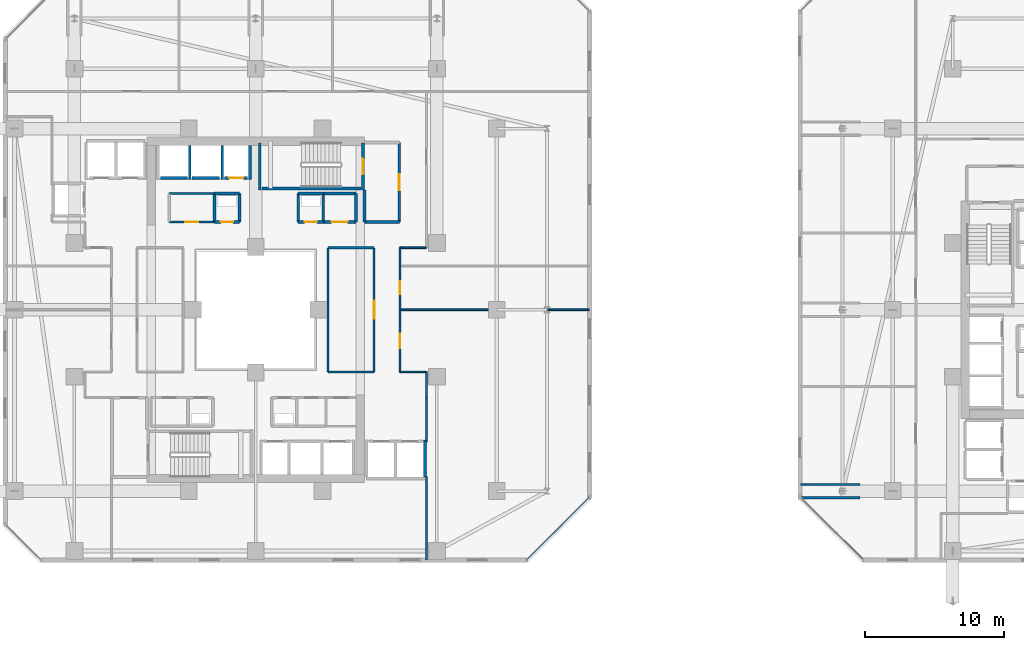
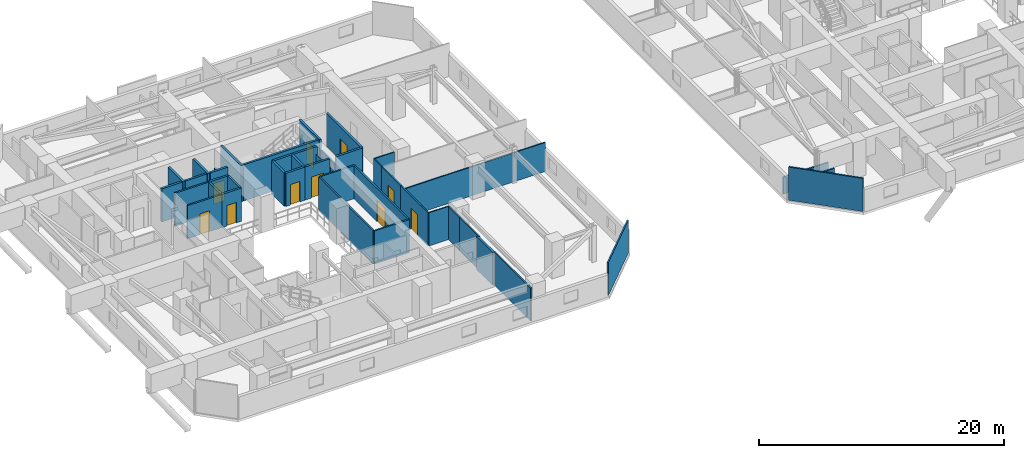
# One storey, part 23 of 36: 43 walls, 10 doors, 10 openings.
"""IFC4 building model written with IfcOpenShell, lengths in metres."""

from ifc_helpers import new_model, si_unit, direction, frame, frame_2d, origin, place, context, subcontext, project, spatial, rectangle, extrude, material, layer, layer_set, type_object, element, fill, save


model = new_model("IFC4")

# Units and contexts
model_context = context("Model", 3, precision=1e-05, world=origin(), true_north=direction((0.0, 1.0)))
body_context = subcontext(model_context, "Body", "Model", "MODEL_VIEW")
ifc_project = project(units=[si_unit("LENGTHUNIT", "METRE"), si_unit("AREAUNIT", "SQUARE_METRE"), si_unit("VOLUMEUNIT", "CUBIC_METRE"), si_unit("PLANEANGLEUNIT", "RADIAN"), si_unit("MASSUNIT", "GRAM", prefix="KILO")], contexts=[model_context])

# Site, building, storey
site_placement = place(None, origin())
site = spatial("IfcSite", under=ifc_project, at=site_placement, CompositionType="ELEMENT")
building_placement = place(site_placement, origin())
building = spatial("IfcBuilding", under=site, at=building_placement, Name="Thornwick Lancets Civic Towers", CompositionType="ELEMENT")
storey_placement = place(building_placement, frame((0.0, 0.0, 94.5)))
storey = spatial("IfcBuildingStorey", under=building, at=storey_placement, Name="L24", CompositionType="ELEMENT", Elevation=94.5)

# Wall, opening, door
ifc_material_1 = material(Name="Concrete blockwork C40/50", Category="masonry")
ifc_layer_1 = layer(ifc_material_1, 0.199951171875, Name="Concrete blockwork C40/50")
ifc_layer_set_1 = layer_set([ifc_layer_1], Name="Concrete blockwork C40/50")
wall_type_1 = type_object("IfcWallType", Name="WALL_COMP_200", PredefinedType="STANDARD", material=ifc_layer_set_1)
wall_1_placement = place(storey_placement, frame((24.919921875, 36.449951171875, 0.0), z_axis=(0.0, 0.0, 1.0), x_axis=(-1.0, 0.0, 0.0)))
wall_1 = element("IfcWall", 1, at=wall_1_placement, inside=storey, type_object=wall_type_1, Name="L24 Hoistway Front Wall FL-A2", PredefinedType="STANDARD", context=body_context, shape_type="SweptSolid", body=[
    extrude(rectangle(XDim=1.639892578125, YDim=0.199951171875, at=frame_2d((0.81982421875, 0.0))), origin(), (0.0, 0.0, 1.0), 3.300048828125),
])
opening_1_placement = place(wall_1_placement, frame((0.31005859375, 0.0, 0.0)))
opening_1 = element("IfcOpeningElement", 2, at=opening_1_placement, cuts=wall_1, Name="Opening LD-FL-A2", PredefinedType="OPENING", context=body_context, shape_type="SweptSolid", body=[
    extrude(rectangle(XDim=1.02001953125, YDim=2.06005859375, at=frame_2d((0.510009765625, 1.030029296875))), frame((0.0, 0.10986328125, 0.0), z_axis=(0.0, -1.0, 0.0), x_axis=(1.0, 0.0, 0.0)), (0.0, 0.0, 1.0), 0.219970703125),
])
ifc_material_2 = material(Name="Brushed bronze stainless steel", Category="steel")
door_type_1 = type_object("IfcDoorType", Name="DOOR_LIFT_SLIDE", OperationType="SLIDING_TO_LEFT", PredefinedType="DOOR", material=ifc_material_2)
door_1_placement = place(opening_1_placement, origin())
door_1 = element("IfcDoor", 3, at=door_1_placement, inside=storey, type_object=door_type_1, Name="L24 Sliding Lift Landing Door LD-FL-A2", OperationType="SLIDING_TO_LEFT", OverallHeight=2.06005859375, OverallWidth=1.02001953125, PredefinedType="DOOR", context=body_context, shape_type="SweptSolid", body=[
    extrude(rectangle(XDim=1.02001953125, YDim=2.06005859375, at=frame_2d((0.510009765625, 1.030029296875))), frame((0.0, 0.02490234375, 0.0), z_axis=(0.0, -1.0, 0.0), x_axis=(1.0, 0.0, 0.0)), (0.0, 0.0, 1.0), 0.050048828125),
])
fill(opening_1, door_1)

# Walls
wall_2_placement = place(storey_placement, frame((22.919921875, 36.449951171875, 0.0), z_axis=(0.0, 0.0, 1.0), x_axis=(-1.0, 0.0, 0.0)))
element("IfcWall", 4, at=wall_2_placement, inside=storey, type_object=wall_type_1, Name="L24 Hoistway Front Wall PL-AH2", PredefinedType="STANDARD", context=body_context, shape_type="SweptSolid", body=[
    extrude(rectangle(XDim=1.989990234375, YDim=0.199951171875, at=frame_2d((0.9951171875, 0.0))), origin(), (0.0, 0.0, 1.0), 3.300048828125),
])
wall_3_placement = place(storey_placement, frame((20.6201171875, 36.449951171875, 0.0), z_axis=(0.0, 0.0, 1.0), x_axis=(-1.0, 0.0, 0.0)))
element("IfcWall", 5, at=wall_3_placement, inside=storey, type_object=wall_type_1, Name="L24 Hoistway Front Wall PL-AH3", PredefinedType="STANDARD", context=body_context, shape_type="SweptSolid", body=[
    extrude(rectangle(XDim=1.940185546875, YDim=0.199951171875, at=frame_2d((0.97021484375, 0.0))), origin(), (0.0, 0.0, 1.0), 3.300048828125),
])
wall_4_placement = place(storey_placement, frame((37.64990234375, 15.011962890625, 0.0), z_axis=(0.0, 0.0, 1.0), x_axis=(0.0, 1.0, 0.0)))
element("IfcWall", 6, at=wall_4_placement, inside=storey, type_object=wall_type_1, Name="L24 Hoistway Shaft Wall PL-AL3 E", PredefinedType="STANDARD", context=body_context, shape_type="SweptSolid", body=[
    extrude(rectangle(XDim=2.635986328125, YDim=0.199951171875, at=frame_2d((1.31787109375, 0.0))), origin(), (0.0, 0.0, 1.0), 3.300048828125),
])
wall_5_placement = place(storey_placement, frame((25.10009765625, 36.35205078125, 0.0), z_axis=(0.0, 0.0, 1.0), x_axis=(0.0, 1.0, 0.0)))
element("IfcWall", 7, at=wall_5_placement, inside=storey, type_object=wall_type_1, Name="L24 Hoistway Shaft Wall FL-A2 E", PredefinedType="STANDARD", context=body_context, shape_type="SweptSolid", body=[
    extrude(rectangle(XDim=2.43603515625, YDim=0.199951171875, at=frame_2d((1.218017578125, 0.0))), origin(), (0.0, 0.0, 1.0), 1.68505859375),
])
for number, where, z_axis, x_axis, name in (
    (8, (23.10009765625, 36.35205078125, 0.0), (0.0, 0.0, 1.0), (0.0, 1.0, 0.0), "L24 Hoistway Shaft Wall FL-A2 W"),
    (9, (20.77490234375, 36.35205078125, 0.0), (0.0, 0.0, 1.0), (0.0, 1.0, 0.0), "L24 Hoistway Shaft Wall PL-AH2 W"),
):
    element("IfcWall", number, at=place(storey_placement, frame(where, z_axis=z_axis, x_axis=x_axis)), inside=storey, type_object=wall_type_1, Name=name, PredefinedType="STANDARD", context=body_context, shape_type="SweptSolid", body=[
        extrude(rectangle(XDim=2.43603515625, YDim=0.199951171875, at=frame_2d((1.218017578125, 0.0))), origin(), (0.0, 0.0, 1.0), 3.300048828125),
    ])
wall_6_placement = place(storey_placement, frame((33.300048828125, 33.300048828125, 0.0), z_axis=(0.0, 0.0, 1.0), x_axis=(1.0, 0.0, 0.0)))
element("IfcWall", 10, at=wall_6_placement, inside=storey, type_object=wall_type_1, Name="L24 Partition L24-A-FFLOB2 E1", PredefinedType="STANDARD", context=body_context, shape_type="SweptSolid", body=[
    extrude(rectangle(XDim=2.5, YDim=0.199951171875, at=frame_2d((1.25, 0.0))), origin(), (0.0, 0.0, 1.0), 3.300048828125),
])

# Wall, opening, door
wall_7_placement = place(storey_placement, frame((35.800048828125, 33.300048828125, 0.0), z_axis=(0.0, 0.0, 1.0), x_axis=(0.0, 1.0, 0.0)))
wall_7 = element("IfcWall", 11, at=wall_7_placement, inside=storey, type_object=wall_type_1, Name="L24 Partition L24-A-FFLOB2 E2", PredefinedType="STANDARD", context=body_context, shape_type="SweptSolid", body=[
    extrude(rectangle(XDim=5.699951171875, YDim=0.199951171875, at=frame_2d((2.85009765625, 0.0))), origin(), (0.0, 0.0, 1.0), 3.300048828125),
])
opening_2_placement = place(wall_7_placement, frame((2.27490234375, 0.0, 0.0)))
opening_2 = element("IfcOpeningElement", 12, at=opening_2_placement, cuts=wall_7, Name="Opening D-L24-1108", PredefinedType="OPENING", context=body_context, shape_type="SweptSolid", body=[
    extrude(rectangle(XDim=1.14990234375, YDim=2.10009765625, at=frame_2d((0.574951171875, 1.050048828125))), frame((0.0, 0.10986328125, 0.0), z_axis=(0.0, -1.0, 0.0), x_axis=(1.0, 0.0, 0.0)), (0.0, 0.0, 1.0), 0.219970703125),
])
ifc_material_3 = material(Name="Glazed fire-resisting steel", Category="steel")
door_type_2 = type_object("IfcDoorType", Name="DOOR_LOBBY_FD60", OperationType="NOTDEFINED", PredefinedType="DOOR", material=ifc_material_3)
door_2_placement = place(opening_2_placement, origin())
door_2 = element("IfcDoor", 13, at=door_2_placement, inside=storey, type_object=door_type_2, Name="L24 North Firefighting Lobby 2 Door", OperationType="SINGLE_SWING_LEFT", OverallHeight=2.10009765625, OverallWidth=1.14990234375, PredefinedType="DOOR", context=body_context, shape_type="SweptSolid", body=[
    extrude(rectangle(XDim=1.14990234375, YDim=2.10009765625, at=frame_2d((0.574951171875, 1.050048828125))), frame((0.0, 0.02490234375, 0.0), z_axis=(0.0, -1.0, 0.0), x_axis=(1.0, 0.0, 0.0)), (0.0, 0.0, 1.0), 0.050048828125),
])
fill(opening_2, door_2)

# Wall
wall_8_placement = place(storey_placement, frame((33.300048828125, 35.60009765625, 0.0), z_axis=(0.0, 0.0, 1.0), x_axis=(0.0, -1.0, 0.0)))
element("IfcWall", 14, at=wall_8_placement, inside=storey, type_object=wall_type_1, Name="L24 Partition L24-A-FFLOB2 E4", PredefinedType="STANDARD", context=body_context, shape_type="SweptSolid", body=[
    extrude(rectangle(XDim=2.300048828125, YDim=0.199951171875, at=frame_2d((1.14990234375, 0.0))), origin(), (0.0, 0.0, 1.0), 2.5048828125),
])

# Wall, opening, door
wall_9_placement = place(storey_placement, frame((22.550048828125, 33.300048828125, 0.0), z_axis=(0.0, 0.0, 1.0), x_axis=(1.0, 0.0, 0.0)))
wall_9 = element("IfcWall", 15, at=wall_9_placement, inside=storey, type_object=wall_type_1, Name="L24 Partition L24-A-DUCT2 E1", PredefinedType="STANDARD", context=body_context, shape_type="SweptSolid", body=[
    extrude(rectangle(XDim=1.800048828125, YDim=0.199951171875, at=frame_2d((0.89990234375, 0.0))), origin(), (0.0, 0.0, 1.0), 3.300048828125),
])
opening_3_placement = place(wall_9_placement, frame((0.4599609375, 0.0, 0.0)))
opening_3 = element("IfcOpeningElement", 16, at=opening_3_placement, cuts=wall_9, Name="Opening D-L24-1111", PredefinedType="OPENING", context=body_context, shape_type="SweptSolid", body=[
    extrude(rectangle(XDim=0.8798828125, YDim=2.0400390625, at=frame_2d((0.43994140625, 1.02001953125))), frame((0.0, 0.10986328125, 0.0), z_axis=(0.0, -1.0, 0.0), x_axis=(1.0, 0.0, 0.0)), (0.0, 0.0, 1.0), 0.219970703125),
])
ifc_material_4 = material(Name="Steel riser access doorset", Category="steel")
door_type_3 = type_object("IfcDoorType", Name="DOOR_RISER_850", OperationType="NOTDEFINED", PredefinedType="DOOR", material=ifc_material_4)
door_3_placement = place(opening_3_placement, origin())
door_3 = element("IfcDoor", 17, at=door_3_placement, inside=storey, type_object=door_type_3, Name="L24 North Service Duct 2 Door", OperationType="SINGLE_SWING_RIGHT", OverallHeight=2.0400390625, OverallWidth=0.8798828125, PredefinedType="DOOR", context=body_context, shape_type="SweptSolid", body=[
    extrude(rectangle(XDim=0.8798828125, YDim=2.0400390625, at=frame_2d((0.43994140625, 1.02001953125))), frame((0.0, 0.02490234375, 0.0), z_axis=(0.0, -1.0, 0.0), x_axis=(1.0, 0.0, 0.0)), (0.0, 0.0, 1.0), 0.050048828125),
])
fill(opening_3, door_3)

# Walls
wall_10_placement = place(storey_placement, frame((24.35009765625, 33.300048828125, 0.0), z_axis=(0.0, 0.0, 1.0), x_axis=(0.0, 1.0, 0.0)))
element("IfcWall", 18, at=wall_10_placement, inside=storey, type_object=wall_type_1, Name="L24 Partition L24-A-DUCT2 E2", PredefinedType="STANDARD", context=body_context, shape_type="SweptSolid", body=[
    extrude(rectangle(XDim=2.050048828125, YDim=0.199951171875, at=frame_2d((1.02490234375, 0.0))), origin(), (0.0, 0.0, 1.0), 3.300048828125),
])
wall_11_placement = place(storey_placement, frame((24.35009765625, 35.35009765625, 0.0), z_axis=(0.0, 0.0, 1.0), x_axis=(-1.0, 0.0, 0.0)))
element("IfcWall", 19, at=wall_11_placement, inside=storey, type_object=wall_type_1, Name="L24 Partition L24-A-DUCT2 E3", PredefinedType="STANDARD", context=body_context, shape_type="SweptSolid", body=[
    extrude(rectangle(XDim=1.800048828125, YDim=0.199951171875, at=frame_2d((0.89990234375, 0.0))), origin(), (0.0, 0.0, 1.0), 3.300048828125),
])
wall_12_placement = place(storey_placement, frame((22.550048828125, 35.35009765625, 0.0), z_axis=(0.0, 0.0, 1.0), x_axis=(0.0, -1.0, 0.0)))
element("IfcWall", 20, at=wall_12_placement, inside=storey, type_object=wall_type_1, Name="L24 Partition L24-A-DUCT2 E4", PredefinedType="STANDARD", context=body_context, shape_type="SweptSolid", body=[
    extrude(rectangle(XDim=2.050048828125, YDim=0.199951171875, at=frame_2d((1.02490234375, 0.0))), origin(), (0.0, 0.0, 1.0), 3.300048828125),
])

# Wall, opening, door
wall_13_placement = place(storey_placement, frame((28.550048828125, 33.300048828125, 0.0), z_axis=(0.0, 0.0, 1.0), x_axis=(1.0, 0.0, 0.0)))
wall_13 = element("IfcWall", 21, at=wall_13_placement, inside=storey, type_object=wall_type_1, Name="L24 Partition L24-A-RISER2 E1", PredefinedType="STANDARD", context=body_context, shape_type="SweptSolid", body=[
    extrude(rectangle(XDim=1.800048828125, YDim=0.199951171875, at=frame_2d((0.89990234375, 0.0))), origin(), (0.0, 0.0, 1.0), 3.300048828125),
])
opening_4_placement = place(wall_13_placement, frame((0.4599609375, 0.0, 0.0)))
opening_4 = element("IfcOpeningElement", 22, at=opening_4_placement, cuts=wall_13, Name="Opening D-L24-1112", PredefinedType="OPENING", context=body_context, shape_type="SweptSolid", body=[
    extrude(rectangle(XDim=0.8798828125, YDim=2.0400390625, at=frame_2d((0.43994140625, 1.02001953125))), frame((0.0, 0.10986328125, 0.0), z_axis=(0.0, -1.0, 0.0), x_axis=(1.0, 0.0, 0.0)), (0.0, 0.0, 1.0), 0.219970703125),
])
door_4_placement = place(opening_4_placement, origin())
door_4 = element("IfcDoor", 23, at=door_4_placement, inside=storey, type_object=door_type_3, Name="L24 North Service Riser 2 Door", OperationType="SINGLE_SWING_LEFT", OverallHeight=2.0400390625, OverallWidth=0.8798828125, PredefinedType="DOOR", context=body_context, shape_type="SweptSolid", body=[
    extrude(rectangle(XDim=0.8798828125, YDim=2.0400390625, at=frame_2d((0.43994140625, 1.02001953125))), frame((0.0, 0.02490234375, 0.0), z_axis=(0.0, -1.0, 0.0), x_axis=(1.0, 0.0, 0.0)), (0.0, 0.0, 1.0), 0.050048828125),
])
fill(opening_4, door_4)

# Walls
wall_14_placement = place(storey_placement, frame((30.35009765625, 33.300048828125, 0.0), z_axis=(0.0, 0.0, 1.0), x_axis=(0.0, 1.0, 0.0)))
element("IfcWall", 24, at=wall_14_placement, inside=storey, type_object=wall_type_1, Name="L24 Partition L24-A-RISER2 E2", PredefinedType="STANDARD", context=body_context, shape_type="SweptSolid", body=[
    extrude(rectangle(XDim=2.050048828125, YDim=0.199951171875, at=frame_2d((1.02490234375, 0.0))), origin(), (0.0, 0.0, 1.0), 3.300048828125),
])
wall_15_placement = place(storey_placement, frame((30.35009765625, 35.35009765625, 0.0), z_axis=(0.0, 0.0, 1.0), x_axis=(-1.0, 0.0, 0.0)))
element("IfcWall", 25, at=wall_15_placement, inside=storey, type_object=wall_type_1, Name="L24 Partition L24-A-RISER2 E3", PredefinedType="STANDARD", context=body_context, shape_type="SweptSolid", body=[
    extrude(rectangle(XDim=1.800048828125, YDim=0.199951171875, at=frame_2d((0.89990234375, 0.0))), origin(), (0.0, 0.0, 1.0), 3.300048828125),
])
wall_16_placement = place(storey_placement, frame((28.550048828125, 35.35009765625, 0.0), z_axis=(0.0, 0.0, 1.0), x_axis=(0.0, -1.0, 0.0)))
element("IfcWall", 26, at=wall_16_placement, inside=storey, type_object=wall_type_1, Name="L24 Partition L24-A-RISER2 E4", PredefinedType="STANDARD", context=body_context, shape_type="SweptSolid", body=[
    extrude(rectangle(XDim=2.050048828125, YDim=0.199951171875, at=frame_2d((1.02490234375, 0.0))), origin(), (0.0, 0.0, 1.0), 3.300048828125),
])
wall_17_placement = place(storey_placement, frame((32.699951171875, 35.35009765625, 0.0), z_axis=(0.0, 0.0, 1.0), x_axis=(0.0, -1.0, 0.0)))
element("IfcWall", 27, at=wall_17_placement, inside=storey, type_object=wall_type_1, Name="L24 Partition L24-A-STR E1", PredefinedType="STANDARD", context=body_context, shape_type="SweptSolid", body=[
    extrude(rectangle(XDim=2.050048828125, YDim=0.199951171875, at=frame_2d((1.02490234375, 0.0))), origin(), (0.0, 0.0, 1.0), 2.5048828125),
])

# Wall, opening, door
wall_18_placement = place(storey_placement, frame((32.699951171875, 33.300048828125, 0.0), z_axis=(0.0, 0.0, 1.0), x_axis=(-1.0, 0.0, 0.0)))
wall_18 = element("IfcWall", 28, at=wall_18_placement, inside=storey, type_object=wall_type_1, Name="L24 Partition L24-A-STR E2", PredefinedType="STANDARD", context=body_context, shape_type="SweptSolid", body=[
    extrude(rectangle(XDim=2.349853515625, YDim=0.199951171875, at=frame_2d((1.1748046875, 0.0))), origin(), (0.0, 0.0, 1.0), 3.300048828125),
])
opening_5_placement = place(wall_18_placement, frame((0.60009765625, 0.0, 0.0)))
opening_5 = element("IfcOpeningElement", 29, at=opening_5_placement, cuts=wall_18, Name="Opening D-L24-1117", PredefinedType="OPENING", context=body_context, shape_type="SweptSolid", body=[
    extrude(rectangle(XDim=1.14990234375, YDim=2.10009765625, at=frame_2d((0.574951171875, 1.050048828125))), frame((0.0, 0.10986328125, 0.0), z_axis=(0.0, -1.0, 0.0), x_axis=(1.0, 0.0, 0.0)), (0.0, 0.0, 1.0), 0.219970703125),
])
door_5_placement = place(opening_5_placement, origin())
door_5 = element("IfcDoor", 30, at=door_5_placement, inside=storey, type_object=door_type_2, Name="L24 Tower A Core Equipment Store Door", OperationType="SINGLE_SWING_RIGHT", OverallHeight=2.10009765625, OverallWidth=1.14990234375, PredefinedType="DOOR", context=body_context, shape_type="SweptSolid", body=[
    extrude(rectangle(XDim=1.14990234375, YDim=2.10009765625, at=frame_2d((0.574951171875, 1.050048828125))), frame((0.0, 0.02490234375, 0.0), z_axis=(0.0, -1.0, 0.0), x_axis=(1.0, 0.0, 0.0)), (0.0, 0.0, 1.0), 0.050048828125),
])
fill(opening_5, door_5)

# Walls
wall_19_placement = place(storey_placement, frame((30.35009765625, 35.35009765625, 0.0), z_axis=(0.0, 0.0, 1.0), x_axis=(1.0, 0.0, 0.0)))
element("IfcWall", 31, at=wall_19_placement, inside=storey, type_object=wall_type_1, Name="L24 Partition L24-A-STR E4", PredefinedType="STANDARD", context=body_context, shape_type="SweptSolid", body=[
    extrude(rectangle(XDim=2.349853515625, YDim=0.199951171875, at=frame_2d((1.1748046875, 0.0))), origin(), (0.0, 0.0, 1.0), 3.300048828125),
])
ifc_material_5 = material(Name="Acoustic gypsum board partition")
ifc_layer_2 = layer(ifc_material_5, 0.1201171875, Name="Acoustic gypsum board partition")
ifc_layer_set_2 = layer_set([ifc_layer_2], Name="Acoustic gypsum board partition")
wall_type_2 = type_object("IfcWallType", Name="WALL_PART_120", PredefinedType="PARTITIONING", material=ifc_layer_set_2)
wall_20_placement = place(storey_placement, frame((37.75, 17.550048828125, 0.0), z_axis=(0.0, 0.0, 1.0), x_axis=(0.0, 1.0, 0.0)))
element("IfcWall", 32, at=wall_20_placement, inside=storey, type_object=wall_type_2, Name="L24 Partition L24-A-E1 E1", PredefinedType="PARTITIONING", context=body_context, shape_type="SweptSolid", body=[
    extrude(rectangle(XDim=3.14990234375, YDim=0.1201171875, at=frame_2d((1.574951171875, 0.0))), origin(), (0.0, 0.0, 1.0), 3.300048828125),
])
wall_21_placement = place(storey_placement, frame((37.75, 20.699951171875, 0.0), z_axis=(0.0, 0.0, 1.0), x_axis=(0.0, 1.0, 0.0)))
element("IfcWall", 33, at=wall_21_placement, inside=storey, type_object=wall_type_2, Name="L24 Partition L24-A-E1 E2", PredefinedType="PARTITIONING", context=body_context, shape_type="SweptSolid", body=[
    extrude(rectangle(XDim=1.85009765625, YDim=0.1201171875, at=frame_2d((0.925048828125, 0.0))), origin(), (0.0, 0.0, 1.0), 3.300048828125),
])
wall_22_placement = place(storey_placement, frame((37.75, 22.550048828125, 0.0), z_axis=(0.0, 0.0, 1.0), x_axis=(-1.0, 0.0, 0.0)))
element("IfcWall", 34, at=wall_22_placement, inside=storey, type_object=wall_type_2, Name="L24 Partition L24-A-E1 E3", PredefinedType="PARTITIONING", context=body_context, shape_type="SweptSolid", body=[
    extrude(rectangle(XDim=1.89990234375, YDim=0.1201171875, at=frame_2d((0.949951171875, 0.0))), origin(), (0.0, 0.0, 1.0), 3.300048828125),
])

# Wall, opening, door
wall_23_placement = place(storey_placement, frame((35.85009765625, 22.550048828125, 0.0), z_axis=(0.0, 0.0, 1.0), x_axis=(0.0, 1.0, 0.0)))
wall_23 = element("IfcWall", 35, at=wall_23_placement, inside=storey, type_object=wall_type_2, Name="L24 Partition L24-A-E1 E4", PredefinedType="PARTITIONING", context=body_context, shape_type="SweptSolid", body=[
    extrude(rectangle(XDim=4.449951171875, YDim=0.1201171875, at=frame_2d((2.22509765625, 0.0))), origin(), (0.0, 0.0, 1.0), 3.300048828125),
])
opening_6_placement = place(wall_23_placement, frame((1.699951171875, 0.0, 0.0)))
opening_6 = element("IfcOpeningElement", 36, at=opening_6_placement, cuts=wall_23, Name="Opening D-L24-1132", PredefinedType="OPENING", context=body_context, shape_type="SweptSolid", body=[
    extrude(rectangle(XDim=1.050048828125, YDim=2.10009765625, at=frame_2d((0.52490234375, 1.050048828125))), frame((0.0, 0.070068359375, 0.0), z_axis=(0.0, -1.0, 0.0), x_axis=(1.0, 0.0, 0.0)), (0.0, 0.0, 1.0), 0.14013671875),
])
ifc_material_6 = material(Name="Glazed European oak executive doorset")
door_type_4 = type_object("IfcDoorType", Name="DOOR_OFFICE_1050", OperationType="NOTDEFINED", PredefinedType="DOOR", material=ifc_material_6)
door_6_placement = place(opening_6_placement, origin())
door_6 = element("IfcDoor", 37, at=door_6_placement, inside=storey, type_object=door_type_4, Name="L24 Tower A Secretariat Open Office E1 Door", OperationType="SINGLE_SWING_LEFT", OverallHeight=2.10009765625, OverallWidth=1.050048828125, PredefinedType="DOOR", context=body_context, shape_type="SweptSolid", body=[
    extrude(rectangle(XDim=1.050048828125, YDim=2.10009765625, at=frame_2d((0.52490234375, 1.050048828125))), frame((0.0, 0.02490234375, 0.0), z_axis=(0.0, -1.0, 0.0), x_axis=(1.0, 0.0, 0.0)), (0.0, 0.0, 1.0), 0.050048828125),
])
fill(opening_6, door_6)

# Walls
wall_24_placement = place(storey_placement, frame((35.85009765625, 27.0, 0.0), z_axis=(0.0, 0.0, 1.0), x_axis=(1.0, 0.0, 0.0)))
element("IfcWall", 38, at=wall_24_placement, inside=storey, type_object=wall_type_2, Name="L24 Partition L24-A-E1 E5", PredefinedType="PARTITIONING", context=body_context, shape_type="SweptSolid", body=[
    extrude(rectangle(XDim=13.56982421875, YDim=0.1201171875, at=frame_2d((6.784912109375, 0.0))), origin(), (0.0, 0.0, 1.0), 2.89208984375),
])
wall_25_placement = place(storey_placement, frame((49.419921875, 13.53857421875, 0.0), z_axis=(0.0, 0.0, 1.0), x_axis=(-0.707106781187, -0.707106781187, 0.0)))
element("IfcWall", 39, at=wall_25_placement, inside=storey, type_object=wall_type_2, Name="L24 Partition L24-A-E1 E7", PredefinedType="PARTITIONING", context=body_context, shape_type="SweptSolid", body=[
    extrude(rectangle(XDim=6.30517578125, YDim=0.1201171875, at=frame_2d((3.152587890625, 0.0))), origin(), (0.0, 0.0, 1.0), 3.300048828125),
])
wall_26_placement = place(storey_placement, frame((37.75, 9.080078125, 0.0), z_axis=(0.0, 0.0, 1.0), x_axis=(0.0, 1.0, 0.0)))
element("IfcWall", 40, at=wall_26_placement, inside=storey, type_object=wall_type_2, Name="L24 Partition L24-A-E1 E9", PredefinedType="PARTITIONING", context=body_context, shape_type="SweptSolid", body=[
    extrude(rectangle(XDim=5.931884765625, YDim=0.1201171875, at=frame_2d((2.9658203125, 0.0))), origin(), (0.0, 0.0, 1.0), 3.300048828125),
])

# Wall, opening, door
wall_27_placement = place(storey_placement, frame((35.85009765625, 27.0, 0.0), z_axis=(0.0, 0.0, 1.0), x_axis=(0.0, 1.0, 0.0)))
wall_27 = element("IfcWall", 41, at=wall_27_placement, inside=storey, type_object=wall_type_2, Name="L24 Partition L24-A-E2 E1", PredefinedType="PARTITIONING", context=body_context, shape_type="SweptSolid", body=[
    extrude(rectangle(XDim=3.14990234375, YDim=0.1201171875, at=frame_2d((1.574951171875, 0.0))), origin(), (0.0, 0.0, 1.0), 3.300048828125),
])
opening_7_placement = place(wall_27_placement, frame((1.10009765625, 0.0, 0.0)))
opening_7 = element("IfcOpeningElement", 42, at=opening_7_placement, cuts=wall_27, Name="Opening D-L24-1133", PredefinedType="OPENING", context=body_context, shape_type="SweptSolid", body=[
    extrude(rectangle(XDim=0.949951171875, YDim=2.10009765625, at=frame_2d((0.47509765625, 1.050048828125))), frame((0.0, 0.070068359375, 0.0), z_axis=(0.0, -1.0, 0.0), x_axis=(1.0, 0.0, 0.0)), (0.0, 0.0, 1.0), 0.14013671875),
])
ifc_material_7 = material(Name="European oak acoustic doorset")
door_type_5 = type_object("IfcDoorType", Name="DOOR_OFFICE_950", OperationType="NOTDEFINED", PredefinedType="DOOR", material=ifc_material_7)
door_7_placement = place(opening_7_placement, origin())
door_7 = element("IfcDoor", 43, at=door_7_placement, inside=storey, type_object=door_type_5, Name="L24 Tower A Visitors Reception and Waiting Door", OperationType="SINGLE_SWING_RIGHT", OverallHeight=2.10009765625, OverallWidth=0.949951171875, PredefinedType="DOOR", context=body_context, shape_type="SweptSolid", body=[
    extrude(rectangle(XDim=0.949951171875, YDim=2.10009765625, at=frame_2d((0.47509765625, 1.050048828125))), frame((0.0, 0.02490234375, 0.0), z_axis=(0.0, -1.0, 0.0), x_axis=(1.0, 0.0, 0.0)), (0.0, 0.0, 1.0), 0.050048828125),
])
fill(opening_7, door_7)

# Walls
wall_28_placement = place(storey_placement, frame((35.85009765625, 31.449951171875, 0.0), z_axis=(0.0, 0.0, 1.0), x_axis=(1.0, 0.0, 0.0)))
element("IfcWall", 44, at=wall_28_placement, inside=storey, type_object=wall_type_2, Name="L24 Partition L24-A-E3 E1", PredefinedType="PARTITIONING", context=body_context, shape_type="SweptSolid", body=[
    extrude(rectangle(XDim=1.89990234375, YDim=0.1201171875, at=frame_2d((0.949951171875, 0.0))), origin(), (0.0, 0.0, 1.0), 3.300048828125),
])
wall_29_placement = place(storey_placement, frame((35.85009765625, 30.14990234375, 0.0), z_axis=(0.0, 0.0, 1.0), x_axis=(0.0, 1.0, 0.0)))
element("IfcWall", 45, at=wall_29_placement, inside=storey, type_object=wall_type_2, Name="L24 Partition L24-A-E3 E7", PredefinedType="PARTITIONING", context=body_context, shape_type="SweptSolid", body=[
    extrude(rectangle(XDim=1.300048828125, YDim=0.1201171875, at=frame_2d((0.64990234375, 0.0))), origin(), (0.0, 0.0, 1.0), 3.300048828125),
])
ifc_material_8 = material(Name="Twin-stud acoustic gypsum board")
ifc_layer_3 = layer(ifc_material_8, 0.14990234375, Name="Twin-stud acoustic gypsum board")
ifc_layer_set_3 = layer_set([ifc_layer_3], Name="Twin-stud acoustic gypsum board")
wall_type_3 = type_object("IfcWallType", Name="WALL_PART_150", PredefinedType="PARTITIONING", material=ifc_layer_set_3)
wall_30_placement = place(storey_placement, frame((19.300048828125, 35.35009765625, 0.0), z_axis=(0.0, 0.0, 1.0), x_axis=(1.0, 0.0, 0.0)))
element("IfcWall", 46, at=wall_30_placement, inside=storey, type_object=wall_type_3, Name="L24 Partition L24-A-FWC E2", PredefinedType="PARTITIONING", context=body_context, shape_type="SweptSolid", body=[
    extrude(rectangle(XDim=3.25, YDim=0.14990234375, at=frame_2d((1.625, 0.0))), origin(), (0.0, 0.0, 1.0), 3.300048828125),
])

# Wall, opening, door
wall_31_placement = place(storey_placement, frame((22.550048828125, 33.300048828125, 0.0), z_axis=(0.0, 0.0, 1.0), x_axis=(-1.0, 0.0, 0.0)))
wall_31 = element("IfcWall", 47, at=wall_31_placement, inside=storey, type_object=wall_type_3, Name="L24 Partition L24-A-FWC E4", PredefinedType="PARTITIONING", context=body_context, shape_type="SweptSolid", body=[
    extrude(rectangle(XDim=3.25, YDim=0.14990234375, at=frame_2d((1.625, 0.0))), origin(), (0.0, 0.0, 1.0), 3.300048828125),
])
opening_8_placement = place(wall_31_placement, frame((1.1650390625, 0.0, 0.0)))
opening_8 = element("IfcOpeningElement", 48, at=opening_8_placement, cuts=wall_31, Name="Opening D-L24-1116", PredefinedType="OPENING", context=body_context, shape_type="SweptSolid", body=[
    extrude(rectangle(XDim=0.919921875, YDim=2.080078125, at=frame_2d((0.4599609375, 1.0400390625))), frame((0.0, 0.0849609375, 0.0), z_axis=(0.0, -1.0, 0.0), x_axis=(1.0, 0.0, 0.0)), (0.0, 0.0, 1.0), 0.169921875),
])
ifc_material_9 = material(Name="Moisture-resistant oak doorset")
door_type_6 = type_object("IfcDoorType", Name="DOOR_WC_900", OperationType="NOTDEFINED", PredefinedType="DOOR", material=ifc_material_9)
door_8_placement = place(opening_8_placement, origin())
door_8 = element("IfcDoor", 49, at=door_8_placement, inside=storey, type_object=door_type_6, Name="L24 Tower A Female WC Door", OperationType="SINGLE_SWING_LEFT", OverallHeight=2.080078125, OverallWidth=0.919921875, PredefinedType="DOOR", context=body_context, shape_type="SweptSolid", body=[
    extrude(rectangle(XDim=0.919921875, YDim=2.080078125, at=frame_2d((0.4599609375, 1.0400390625))), frame((0.0, 0.02490234375, 0.0), z_axis=(0.0, -1.0, 0.0), x_axis=(1.0, 0.0, 0.0)), (0.0, 0.0, 1.0), 0.050048828125),
])
fill(opening_8, door_8)

# Walls
wall_32_placement = place(storey_placement, frame((30.699951171875, 22.550048828125, 0.0), z_axis=(0.0, 0.0, 1.0), x_axis=(0.0, 1.0, 0.0)))
element("IfcWall", 50, at=wall_32_placement, inside=storey, type_object=wall_type_3, Name="L24 Partition L24-A-ATR-E E1", PredefinedType="PARTITIONING", context=body_context, shape_type="SweptSolid", body=[
    extrude(rectangle(XDim=8.89990234375, YDim=0.14990234375, at=frame_2d((4.449951171875, 0.0))), origin(), (0.0, 0.0, 1.0), 3.300048828125),
])
wall_33_placement = place(storey_placement, frame((30.699951171875, 31.449951171875, 0.0), z_axis=(0.0, 0.0, 1.0), x_axis=(1.0, 0.0, 0.0)))
element("IfcWall", 51, at=wall_33_placement, inside=storey, type_object=wall_type_3, Name="L24 Partition L24-A-ATR-E E2", PredefinedType="PARTITIONING", context=body_context, shape_type="SweptSolid", body=[
    extrude(rectangle(XDim=3.300048828125, YDim=0.14990234375, at=frame_2d((1.64990234375, 0.0))), origin(), (0.0, 0.0, 1.0), 3.300048828125),
])

# Wall, opening, door
wall_34_placement = place(storey_placement, frame((34.0, 31.449951171875, 0.0), z_axis=(0.0, 0.0, 1.0), x_axis=(0.0, -1.0, 0.0)))
wall_34 = element("IfcWall", 52, at=wall_34_placement, inside=storey, type_object=wall_type_3, Name="L24 Partition L24-A-ATR-E E3", PredefinedType="PARTITIONING", context=body_context, shape_type="SweptSolid", body=[
    extrude(rectangle(XDim=8.89990234375, YDim=0.14990234375, at=frame_2d((4.449951171875, 0.0))), origin(), (0.0, 0.0, 1.0), 3.300048828125),
])
opening_9_placement = place(wall_34_placement, frame((3.800048828125, 0.0, 0.0)))
opening_9 = element("IfcOpeningElement", 53, at=opening_9_placement, cuts=wall_34, Name="Opening D-L24-1135", PredefinedType="OPENING", context=body_context, shape_type="SweptSolid", body=[
    extrude(rectangle(XDim=1.300048828125, YDim=2.1201171875, at=frame_2d((0.64990234375, 1.06005859375))), frame((0.0, 0.0849609375, 0.0), z_axis=(0.0, -1.0, 0.0), x_axis=(1.0, 0.0, 0.0)), (0.0, 0.0, 1.0), 0.169921875),
])
ifc_material_10 = material(Name="Acoustic oak leaf-and-a-half doorset")
door_type_7 = type_object("IfcDoorType", Name="DOOR_MEET_1300", OperationType="DOUBLE_DOOR_SINGLE_SWING", PredefinedType="DOOR", material=ifc_material_10)
door_9_placement = place(opening_9_placement, origin())
door_9 = element("IfcDoor", 54, at=door_9_placement, inside=storey, type_object=door_type_7, Name="L24 Tower A East Atrium Briefing Suite Door", OperationType="DOUBLE_DOOR_SINGLE_SWING", OverallHeight=2.1201171875, OverallWidth=1.300048828125, PredefinedType="DOOR", context=body_context, shape_type="SweptSolid", body=[
    extrude(rectangle(XDim=1.300048828125, YDim=2.1201171875, at=frame_2d((0.64990234375, 1.06005859375))), frame((0.0, 0.02490234375, 0.0), z_axis=(0.0, -1.0, 0.0), x_axis=(1.0, 0.0, 0.0)), (0.0, 0.0, 1.0), 0.050048828125),
])
fill(opening_9, door_9)

# Walls
wall_35_placement = place(storey_placement, frame((34.0, 22.550048828125, 0.0), z_axis=(0.0, 0.0, 1.0), x_axis=(-1.0, 0.0, 0.0)))
element("IfcWall", 55, at=wall_35_placement, inside=storey, type_object=wall_type_3, Name="L24 Partition L24-A-ATR-E E4", PredefinedType="PARTITIONING", context=body_context, shape_type="SweptSolid", body=[
    extrude(rectangle(XDim=3.300048828125, YDim=0.14990234375, at=frame_2d((1.64990234375, 0.0))), origin(), (0.0, 0.0, 1.0), 3.300048828125),
])
wall_36_placement = place(storey_placement, frame((69.03857421875, 9.080078125, 0.0), z_axis=(0.0, 0.0, 1.0), x_axis=(-0.707106781187, 0.707106781187, 0.0)))
element("IfcWall", 56, at=wall_36_placement, inside=storey, type_object=wall_type_3, Name="L24 Partition L24-B-N-CONF E3", PredefinedType="PARTITIONING", context=body_context, shape_type="SweptSolid", body=[
    extrude(rectangle(XDim=6.279052734375, YDim=0.14990234375, at=frame_2d((3.1396484375, 0.0))), origin(), (0.0, 0.0, 1.0), 3.300048828125),
])
wall_37_placement = place(storey_placement, frame((64.5986328125, 13.52001953125, 0.0), z_axis=(0.0, 0.0, 1.0), x_axis=(1.0, 0.0, 0.0)))
element("IfcWall", 57, at=wall_37_placement, inside=storey, type_object=wall_type_3, Name="L24 Partition L24-B-N-CONF E4", PredefinedType="PARTITIONING", context=body_context, shape_type="SweptSolid", body=[
    extrude(rectangle(XDim=4.25048828125, YDim=0.14990234375, at=frame_2d((2.125244140625, 0.0))), origin(), (0.0, 0.0, 1.0), 1.68505859375),
])
wall_38_placement = place(storey_placement, frame((68.84912109375, 14.47998046875, 0.0), z_axis=(0.0, 0.0, 1.0), x_axis=(-1.0, 0.0, 0.0)))
element("IfcWall", 58, at=wall_38_placement, inside=storey, type_object=wall_type_3, Name="L24 Partition L24-B-N-CONF E6", PredefinedType="PARTITIONING", context=body_context, shape_type="SweptSolid", body=[
    extrude(rectangle(XDim=4.26904296875, YDim=0.14990234375, at=frame_2d((2.134521484375, 0.0))), origin(), (0.0, 0.0, 1.0), 1.68505859375),
])

# Wall, opening, door
ifc_material_11 = material(Name="Concrete C40/50", Category="concrete")
ifc_layer_4 = layer(ifc_material_11, 0.199951171875, Name="Concrete C40/50")
ifc_layer_set_4 = layer_set([ifc_layer_4], Name="Concrete C40/50")
wall_type_4 = type_object("IfcWallType", Name="WALL_SHAFT_200", PredefinedType="SHEAR", material=ifc_layer_set_4)
wall_39_placement = place(storey_placement, frame((33.199951171875, 38.949951171875, 0.0), z_axis=(0.0, 0.0, 1.0), x_axis=(0.0, -1.0, 0.0)))
wall_39 = element("IfcWall", 59, at=wall_39_placement, inside=storey, type_object=wall_type_4, Name="L24 ST-A2 Fire Stair Core Wall NEAR", PredefinedType="SHEAR", context=body_context, shape_type="SweptSolid", body=[
    extrude(rectangle(XDim=3.349853515625, YDim=0.199951171875, at=frame_2d((1.6748046875, 0.0))), origin(), (0.0, 0.0, 1.0), 3.60009765625),
])
opening_10_placement = place(wall_39_placement, frame((1.125, 0.0, 0.0)))
opening_10 = element("IfcOpeningElement", 60, at=opening_10_placement, cuts=wall_39, Name="Opening D-ST-A2-L24", PredefinedType="OPENING", context=body_context, shape_type="SweptSolid", body=[
    extrude(rectangle(XDim=1.10009765625, YDim=2.10009765625, at=frame_2d((0.550048828125, 1.050048828125))), frame((0.0, 0.10986328125, 0.0), z_axis=(0.0, -1.0, 0.0), x_axis=(1.0, 0.0, 0.0)), (0.0, 0.0, 1.0), 0.219970703125),
])
ifc_material_12 = material(Name="Fire-resisting steel and hardwood", Category="steel")
door_type_8 = type_object("IfcDoorType", Name="DOOR_STAIR_FD60", OperationType="NOTDEFINED", PredefinedType="DOOR", material=ifc_material_12)
door_10_placement = place(opening_10_placement, origin())
door_10 = element("IfcDoor", 61, at=door_10_placement, inside=storey, type_object=door_type_8, Name="L24 ST-A2 Exit Stair Door", OperationType="SINGLE_SWING_LEFT", OverallHeight=2.10009765625, OverallWidth=1.10009765625, PredefinedType="DOOR", context=body_context, shape_type="SweptSolid", body=[
    extrude(rectangle(XDim=1.10009765625, YDim=2.10009765625, at=frame_2d((0.550048828125, 1.050048828125))), frame((0.0, 0.02490234375, 0.0), z_axis=(0.0, -1.0, 0.0), x_axis=(1.0, 0.0, 0.0)), (0.0, 0.0, 1.0), 0.050048828125),
])
fill(opening_10, door_10)

# Walls
wall_40_placement = place(storey_placement, frame((25.800048828125, 35.60009765625, 0.0), z_axis=(0.0, 0.0, 1.0), x_axis=(0.0, 1.0, 0.0)))
element("IfcWall", 62, at=wall_40_placement, inside=storey, type_object=wall_type_4, Name="L24 ST-A2 Fire Stair Core Wall FAR", PredefinedType="SHEAR", context=body_context, shape_type="SweptSolid", body=[
    extrude(rectangle(XDim=3.349853515625, YDim=0.199951171875, at=frame_2d((1.6748046875, 0.0))), origin(), (0.0, 0.0, 1.0), 3.60009765625),
])
wall_41_placement = place(storey_placement, frame((25.949951171875, 35.702880859375, 0.0), z_axis=(0.0, 0.0, 1.0), x_axis=(1.0, 0.0, 0.0)))
element("IfcWall", 63, at=wall_41_placement, inside=storey, type_object=wall_type_4, Name="L24 ST-A2 Fire Stair Core Wall RIGHT", PredefinedType="SHEAR", context=body_context, shape_type="SweptSolid", body=[
    extrude(rectangle(XDim=7.10009765625, YDim=0.199951171875, at=frame_2d((3.550048828125, 0.0))), origin(), (0.0, 0.0, 1.0), 3.60009765625),
])

save(model, "model.ifc")
